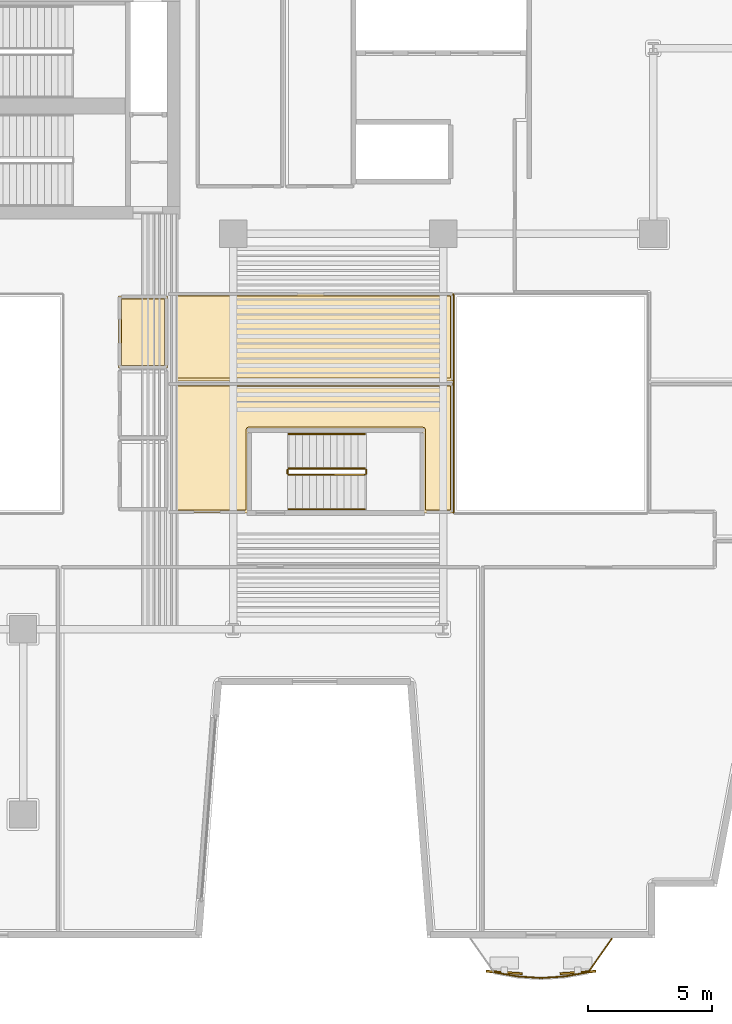
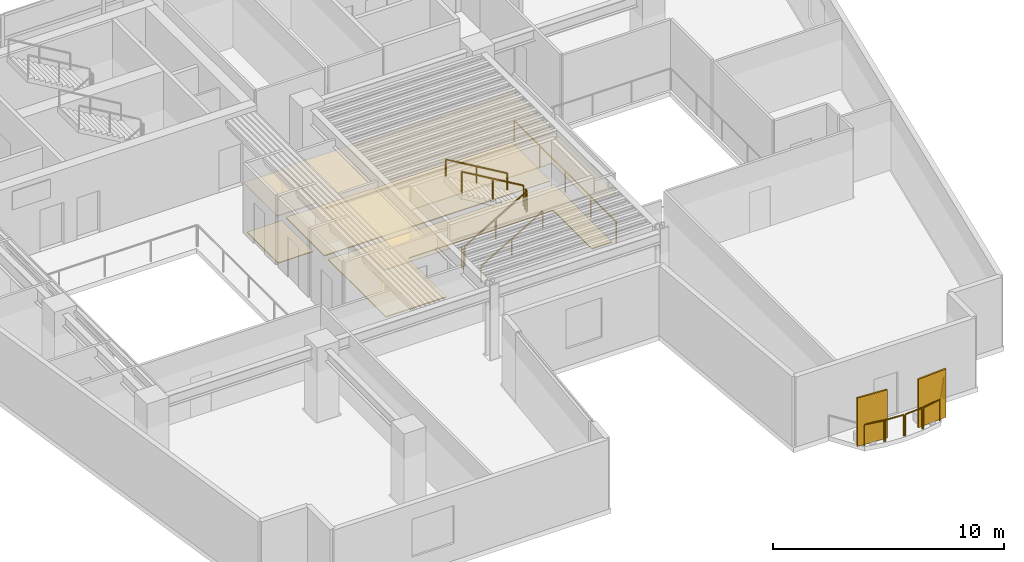
# One storey, part 10 of 13: 12 railings, 6 coverings, 2 shading devices.
"""IFC4 building model written with IfcOpenShell, lengths in metres."""

from ifc_helpers import new_model, si_unit, direction, frame, origin, origin_2d, place, context, subcontext, project, spatial, polyline, rectangle, outline, extrude, material, layer, layer_set, type_object, element, save


model = new_model("IFC4")

# Units and contexts
model_context = context("Model", 3, precision=1e-05, world=origin(), true_north=direction((0.0, 1.0)))
body_context = subcontext(model_context, "Body", "Model", "MODEL_VIEW")
ifc_project = project(units=[si_unit("LENGTHUNIT", "METRE"), si_unit("AREAUNIT", "SQUARE_METRE"), si_unit("VOLUMEUNIT", "CUBIC_METRE"), si_unit("PLANEANGLEUNIT", "RADIAN"), si_unit("MASSUNIT", "GRAM", prefix="KILO")], contexts=[model_context])

# Site, building, storey
site_placement = place(None, origin())
site = spatial("IfcSite", under=ifc_project, at=site_placement, CompositionType="ELEMENT")
building_placement = place(site_placement, origin())
building = spatial("IfcBuilding", under=site, at=building_placement, Name="Caeloran Harvest Quay", CompositionType="ELEMENT")
storey_placement = place(building_placement, frame((0.0, 0.0, 139.050048828125)))
storey = spatial("IfcBuildingStorey", under=building, at=storey_placement, Name="L32", CompositionType="ELEMENT", Elevation=139.050048828125)

# Coverings
ifc_material_1 = material(Name="Perforated Mineral-Fibre Acoustic Ceiling Tile", Category="ceiling")
ifc_layer_1 = layer(ifc_material_1, 0.0400390625, Name="Perforated Mineral-Fibre Acoustic Ceiling Tile")
ifc_layer_set_1 = layer_set([ifc_layer_1], Name="Perforated Mineral-Fibre Acoustic Ceiling Tile")
covering_type_1 = type_object("IfcCoveringType", Name="COV-CEILING-ACOUSTIC", PredefinedType="CEILING", material=ifc_layer_set_1)
covering_1_placement = place(storey_placement, frame((0.0, 0.0, 2.599853515625)))
element("IfcCovering", 1, at=covering_1_placement, inside=storey, type_object=covering_type_1, Name="L32 Male Washroom WC Acoustic Ceiling", PredefinedType="CEILING", context=body_context, shape_type="SweptSolid", body=[
    extrude(outline(polyline([(22.840087890625, 25.56005859375), (20.8701171875, 25.56005859375), (20.8701171875, 28.489990234375), (22.840087890625, 28.489990234375), (22.840087890625, 25.56005859375)])), origin(), (0.0, 0.0, 1.0), 0.0400390625),
])
covering_2_placement = place(storey_placement, frame((0.0, 0.0, 2.599853515625)))
element("IfcCovering", 2, at=covering_2_placement, inside=storey, type_object=covering_type_1, Name="Sensory Tasting Kitchen Acoustic Ceiling", PredefinedType="CEILING", context=body_context, shape_type="SweptSolid", body=[
    extrude(outline(polyline([(26.139892578125, 23.06005859375), (26.139892578125, 19.7099609375), (22.8701171875, 19.7099609375), (22.8701171875, 24.9599609375), (34.409912109375, 24.9599609375), (34.409912109375, 19.7099609375), (33.159912109375, 19.7099609375), (33.159912109375, 23.06005859375), (26.139892578125, 23.06005859375)])), origin(), (0.0, 0.0, 1.0), 0.0400390625),
])
covering_3_placement = place(storey_placement, frame((0.0, 0.0, 2.599853515625)))
element("IfcCovering", 3, at=covering_3_placement, inside=storey, type_object=covering_type_1, Name="Staff Wellness Lounge Acoustic Ceiling", PredefinedType="CEILING", context=body_context, shape_type="SweptSolid", body=[
    extrude(outline(polyline([(22.8701171875, 28.512939453125), (22.85009765625, 28.52001953125), (22.85009765625, 28.610107421875), (34.409912109375, 28.610107421875), (34.409912109375, 25.0400390625), (22.8701171875, 25.0400390625), (22.8701171875, 28.512939453125)])), origin(), (0.0, 0.0, 1.0), 0.0400390625),
])
ifc_material_2 = material(Name="Calcium-Sulphate Raised Access Floor and Terrazzo Finish", Category="flooring")
ifc_layer_2 = layer(ifc_material_2, 0.050048828125, Name="Calcium-Sulphate Raised Access Floor and Terrazzo Finish")
ifc_layer_set_2 = layer_set([ifc_layer_2], Name="Calcium-Sulphate Raised Access Floor and Terrazzo Finish")
covering_type_2 = type_object("IfcCoveringType", Name="COV-FLOOR-RAISED", PredefinedType="FLOORING", material=ifc_layer_set_2)
covering_4_placement = place(storey_placement, origin())
element("IfcCovering", 4, at=covering_4_placement, inside=storey, type_object=covering_type_2, Name="L32 Male Washroom WC Raised Finish Flooring", PredefinedType="FLOORING", context=body_context, shape_type="SweptSolid", body=[
    extrude(outline(polyline([(22.719970703125, 25.679931640625), (20.989990234375, 25.679931640625), (20.989990234375, 28.3701171875), (22.719970703125, 28.3701171875), (22.719970703125, 25.679931640625)])), origin(), (0.0, 0.0, 1.0), 0.050048828125),
])
covering_5_placement = place(storey_placement, origin())
element("IfcCovering", 5, at=covering_5_placement, inside=storey, type_object=covering_type_2, Name="Sensory Tasting Kitchen Raised Finish Flooring", PredefinedType="FLOORING", context=body_context, shape_type="SweptSolid", body=[
    extrude(outline(polyline([(33.27978515625, 23.076904296875), (33.244873046875, 23.150390625), (33.169921875, 23.179931640625), (26.09423828125, 23.174072265625), (26.040771484375, 23.13427734375), (26.02001953125, 23.070068359375), (26.02001953125, 19.830078125), (22.989990234375, 19.830078125), (22.989990234375, 24.840087890625), (34.2900390625, 24.840087890625), (34.2900390625, 19.830078125), (33.280029296875, 19.830078125), (33.27978515625, 23.076904296875)])), origin(), (0.0, 0.0, 1.0), 0.050048828125),
])
covering_6_placement = place(storey_placement, origin())
element("IfcCovering", 6, at=covering_6_placement, inside=storey, type_object=covering_type_2, Name="Staff Wellness Lounge Raised Finish Flooring", PredefinedType="FLOORING", context=body_context, shape_type="SweptSolid", body=[
    extrude(outline(polyline([(22.989990234375, 28.489990234375), (34.2900390625, 28.489990234375), (34.2900390625, 25.159912109375), (22.989990234375, 25.159912109375), (22.989990234375, 28.489990234375)])), origin(), (0.0, 0.0, 1.0), 0.050048828125),
])

# Railings
ifc_material_3 = material(Name="Powder-Coated Steel Post and Laminated Glass Guardrail", Category="steel")
ifc_layer_3 = layer(ifc_material_3, 0.06005859375, Name="Powder-Coated Steel Post and Laminated Glass Guardrail")
ifc_layer_set_3 = layer_set([ifc_layer_3], Name="Powder-Coated Steel Post and Laminated Glass Guardrail")
railing_type_1 = type_object("IfcRailingType", Name="GUARD-ATRIUM-1150", PredefinedType="GUARDRAIL", material=ifc_layer_set_3)
railing_1_placement = place(storey_placement, frame((34.429931640625, 28.5380859375, 0.0)))
element("IfcRailing", 7, at=railing_1_placement, inside=storey, type_object=railing_type_1, Name="L32 East Botanical Lightwell Guardrail Seg 4", PredefinedType="GUARDRAIL", context=body_context, shape_type="SweptSolid", body=[
    extrude(rectangle(XDim=0.048095703125, YDim=0.048095703125, at=origin_2d()), frame((0.0, 0.0, 1.1259765625), z_axis=(0.0, -1.0, 0.0), x_axis=(1.0, 0.0, 0.0)), (0.0, 0.0, 1.0), 8.826171875),
    extrude(rectangle(XDim=0.0419921875, YDim=0.0419921875, at=origin_2d()), origin(), (0.0, 0.0, 1.0), 1.101806640625),
    extrude(rectangle(XDim=0.0419921875, YDim=0.0419921875, at=origin_2d()), frame((0.0, -2.20654296875, 0.0)), (0.0, 0.0, 1.0), 1.101806640625),
    extrude(rectangle(XDim=0.0419921875, YDim=0.0419921875, at=origin_2d()), frame((0.0, -4.4130859375, 0.0)), (0.0, 0.0, 1.0), 1.101806640625),
    extrude(rectangle(XDim=0.0419921875, YDim=0.0419921875, at=origin_2d()), frame((0.0, -6.61962890625, 0.0)), (0.0, 0.0, 1.0), 1.101806640625),
    extrude(rectangle(XDim=0.0419921875, YDim=0.0419921875, at=origin_2d()), frame((0.0, -8.826171875, 0.0)), (0.0, 0.0, 1.0), 1.101806640625),
])
ifc_material_4 = material(Name="Laminated Safety Glass and Stainless Steel 316", Category="steel")
ifc_layer_4 = layer(ifc_material_4, 0.06005859375, Name="Laminated Safety Glass and Stainless Steel 316")
ifc_layer_set_4 = layer_set([ifc_layer_4], Name="Laminated Safety Glass and Stainless Steel 316")
railing_type_2 = type_object("IfcRailingType", Name="GUARD-BALUSTRADE-1150", PredefinedType="BALUSTRADE", material=ifc_layer_set_4)
railing_2_placement = place(storey_placement, frame((40.825927734375, 2.47998046875, 0.0)))
element("IfcRailing", 8, at=railing_2_placement, inside=storey, type_object=railing_type_2, Name="L32 Planted Balcony Perimeter Balustrade Guard Seg 1", PredefinedType="BALUSTRADE", context=body_context, shape_type="SweptSolid", body=[
    extrude(rectangle(XDim=0.048095703125, YDim=0.048095703125, at=origin_2d()), frame((0.0, 0.0, 1.1259765625), z_axis=(-0.576147163923, -0.817345976624, 0.0), x_axis=(0.817345976624, -0.576147163923, 0.0)), (0.0, 0.0, 1.0), 1.627685546875),
    extrude(rectangle(XDim=0.0419921875, YDim=0.0419921875, at=origin_2d()), origin(), (0.0, 0.0, 1.0), 1.101806640625),
    extrude(rectangle(XDim=0.0419921875, YDim=0.0419921875, at=origin_2d()), frame((-0.937744140625, -1.330322265625, 0.0)), (0.0, 0.0, 1.0), 1.101806640625),
])
railing_3_placement = place(storey_placement, frame((39.83837890625, 1.11767578125, 0.0)))
element("IfcRailing", 9, at=railing_3_placement, inside=storey, type_object=railing_type_2, Name="L32 Planted Balcony Perimeter Balustrade Guard Seg 2", PredefinedType="BALUSTRADE", context=body_context, shape_type="SweptSolid", body=[
    extrude(rectangle(XDim=0.048095703125, YDim=0.048095703125, at=origin_2d()), frame((0.0, 0.0, 1.1259765625), z_axis=(-0.983968748119, -0.17834097321, 0.0), x_axis=(0.17834097321, -0.983968748119, 0.0)), (0.0, 0.0, 1.0), 0.90771484375),
    extrude(rectangle(XDim=0.0419921875, YDim=0.0419921875, at=origin_2d()), origin(), (0.0, 0.0, 1.0), 1.101806640625),
    extrude(rectangle(XDim=0.0419921875, YDim=0.0419921875, at=origin_2d()), frame((-0.89306640625, -0.161865234375, 0.0)), (0.0, 0.0, 1.0), 1.101806640625),
])
railing_4_placement = place(storey_placement, frame((38.8818359375, 0.947998046875, 0.0)))
element("IfcRailing", 10, at=railing_4_placement, inside=storey, type_object=railing_type_2, Name="L32 Planted Balcony Perimeter Balustrade Guard Seg 3", PredefinedType="BALUSTRADE", context=body_context, shape_type="SweptSolid", body=[
    extrude(rectangle(XDim=0.048095703125, YDim=0.048095703125, at=origin_2d()), frame((0.0, 0.0, 1.1259765625), z_axis=(-0.997815254153, -0.066066016828, 0.0), x_axis=(0.066066016828, -0.997815254153, 0.0)), (0.0, 0.0, 1.0), 0.894287109375),
    extrude(rectangle(XDim=0.0419921875, YDim=0.0419921875, at=origin_2d()), origin(), (0.0, 0.0, 1.0), 1.101806640625),
    extrude(rectangle(XDim=0.0419921875, YDim=0.0419921875, at=origin_2d()), frame((-0.892333984375, -0.05908203125, 0.0)), (0.0, 0.0, 1.0), 1.101806640625),
])
railing_5_placement = place(storey_placement, frame((37.925537109375, 0.888916015625, 0.0)))
element("IfcRailing", 11, at=railing_5_placement, inside=storey, type_object=railing_type_2, Name="L32 Planted Balcony Perimeter Balustrade Guard Seg 4", PredefinedType="BALUSTRADE", context=body_context, shape_type="SweptSolid", body=[
    extrude(rectangle(XDim=0.048095703125, YDim=0.048095703125, at=origin_2d()), frame((0.0, 0.0, 1.1259765625), z_axis=(-0.997815254153, 0.066066016828, 0.0), x_axis=(-0.066066016828, -0.997815254153, 0.0)), (0.0, 0.0, 1.0), 0.894287109375),
    extrude(rectangle(XDim=0.0419921875, YDim=0.0419921875, at=origin_2d()), origin(), (0.0, 0.0, 1.0), 1.101806640625),
    extrude(rectangle(XDim=0.0419921875, YDim=0.0419921875, at=origin_2d()), frame((-0.892333984375, 0.05908203125, 0.0)), (0.0, 0.0, 1.0), 1.101806640625),
])
railing_6_placement = place(storey_placement, frame((36.9697265625, 0.955810546875, 0.0)))
element("IfcRailing", 12, at=railing_6_placement, inside=storey, type_object=railing_type_2, Name="L32 Planted Balcony Perimeter Balustrade Guard Seg 5", PredefinedType="BALUSTRADE", context=body_context, shape_type="SweptSolid", body=[
    extrude(rectangle(XDim=0.048095703125, YDim=0.048095703125, at=origin_2d()), frame((0.0, 0.0, 1.1259765625), z_axis=(-0.983968748119, 0.17834097321, 0.0), x_axis=(-0.17834097321, -0.983968748119, 0.0)), (0.0, 0.0, 1.0), 0.90771484375),
    extrude(rectangle(XDim=0.0419921875, YDim=0.0419921875, at=origin_2d()), origin(), (0.0, 0.0, 1.0), 1.101806640625),
    extrude(rectangle(XDim=0.0419921875, YDim=0.0419921875, at=origin_2d()), frame((-0.89306640625, 0.161865234375, 0.0)), (0.0, 0.0, 1.0), 1.101806640625),
])

# Shading devices
ifc_material_5 = material(Name="3003-H14 Perforated Powder-Coated Aluminium", Category="aluminium")
shading_device_type = type_object("IfcShadingDeviceType", Name="SHADE-SCREEN-FOLDED", PredefinedType="USERDEFINED", material=ifc_material_5)
for number, where, z_axis, x_axis, name in (
    (13, (39.44921875, 1.111328125, 0.07470703125), (0.0, 0.0, 1.0), (0.997801468292, 0.0662739004, 0.0), "L32 Folded Facade Breathing Screen 1"),
    (14, (36.4658203125, 1.111328125, 0.07470703125), (0.0, 0.0, 1.0), (0.997801468292, -0.0662739004, 0.0), "L32 Folded Facade Breathing Screen 2"),
):
    element("IfcShadingDevice", number, at=place(storey_placement, frame(where, z_axis=z_axis, x_axis=x_axis)), inside=storey, type_object=shading_device_type, Name=name, ObjectType="SCREEN", PredefinedType="USERDEFINED", context=body_context, shape_type="SweptSolid", body=[
        extrude(rectangle(XDim=1.449951171875, YDim=0.080078125, at=origin_2d()), origin(), (0.0, 0.0, 1.0), 2.550048828125),
    ])

# Railings
ifc_material_6 = material(Name="Painted Steel Baluster and Top-Rail Stair Guard", Category="steel")
ifc_layer_5 = layer(ifc_material_6, 0.050048828125, Name="Painted Steel Baluster and Top-Rail Stair Guard")
ifc_layer_set_5 = layer_set([ifc_layer_5], Name="Painted Steel Baluster and Top-Rail Stair Guard")
railing_type_3 = type_object("IfcRailingType", Name="STAIR-GUARD-1100", PredefinedType="GUARDRAIL", material=ifc_layer_set_5)
railing_7_placement = place(storey_placement, frame((27.75, 21.25, 0.16455078125)))
element("IfcRailing", 15, at=railing_7_placement, inside=storey, type_object=railing_type_3, Name="L32 ST-W1 stair guard 1", PredefinedType="GUARDRAIL", context=body_context, shape_type="SweptSolid", body=[
    extrude(rectangle(XDim=0.048095703125, YDim=0.048095703125, at=origin_2d()), frame((0.0, 0.0, 1.076171875), z_axis=(0.862118610829, 0.0, 0.506706523406), x_axis=(0.0, 1.0, 0.0)), (0.0, 0.0, 1.0), 3.57275390625),
    extrude(rectangle(XDim=0.0419921875, YDim=0.0419921875, at=origin_2d()), origin(), (0.0, 0.0, 1.0), 1.052001953125),
    extrude(rectangle(XDim=0.0419921875, YDim=0.0419921875, at=origin_2d()), frame((1.5400390625, 0.0, 0.9052734375)), (0.0, 0.0, 1.0), 1.052001953125),
    extrude(rectangle(XDim=0.0419921875, YDim=0.0419921875, at=origin_2d()), frame((3.080078125, 0.0, 1.810302734375)), (0.0, 0.0, 1.0), 1.052001953125),
])
railing_8_placement = place(storey_placement, frame((30.8798828125, 21.300048828125, 1.974853515625)))
element("IfcRailing", 16, at=railing_8_placement, inside=storey, type_object=railing_type_3, Name="L32 ST-W1 stair guard 2", PredefinedType="GUARDRAIL", context=body_context, shape_type="SweptSolid", body=[
    extrude(rectangle(XDim=0.048095703125, YDim=0.048095703125, at=origin_2d()), frame((0.0, 0.0, 1.076171875), z_axis=(0.0, 1.0, 0.0), x_axis=(-1.0, 0.0, 0.0)), (0.0, 0.0, 1.0), 0.14990234375),
    extrude(rectangle(XDim=0.0419921875, YDim=0.0419921875, at=origin_2d()), origin(), (0.0, 0.0, 1.0), 1.052001953125),
    extrude(rectangle(XDim=0.0419921875, YDim=0.0419921875, at=origin_2d()), frame((0.0, 0.14990234375, 0.0)), (0.0, 0.0, 1.0), 1.052001953125),
])
railing_9_placement = place(storey_placement, frame((30.830078125, 21.5, 2.1396484375)))
element("IfcRailing", 17, at=railing_9_placement, inside=storey, type_object=railing_type_3, Name="L32 ST-W1 stair guard 3", PredefinedType="GUARDRAIL", context=body_context, shape_type="SweptSolid", body=[
    extrude(rectangle(XDim=0.048095703125, YDim=0.048095703125, at=origin_2d()), frame((0.0, 0.0, 1.076171875), z_axis=(-0.862118610829, 0.0, 0.506706523406), x_axis=(0.0, -1.0, 0.0)), (0.0, 0.0, 1.0), 3.57275390625),
    extrude(rectangle(XDim=0.0419921875, YDim=0.0419921875, at=origin_2d()), origin(), (0.0, 0.0, 1.0), 1.052001953125),
    extrude(rectangle(XDim=0.0419921875, YDim=0.0419921875, at=origin_2d()), frame((-1.5400390625, 0.0, 0.9052734375)), (0.0, 0.0, 1.0), 1.052001953125),
    extrude(rectangle(XDim=0.0419921875, YDim=0.0419921875, at=origin_2d()), frame((-3.080078125, 0.0, 1.810302734375)), (0.0, 0.0, 1.0), 1.052001953125),
])
railing_10_placement = place(storey_placement, frame((27.699951171875, 21.300048828125, 0.0)))
element("IfcRailing", 18, at=railing_10_placement, inside=storey, type_object=railing_type_3, Name="L32 ST-W1 stair guard 4", PredefinedType="GUARDRAIL", context=body_context, shape_type="SweptSolid", body=[
    extrude(rectangle(XDim=0.048095703125, YDim=0.048095703125, at=origin_2d()), frame((0.0, 0.0, 1.076171875), z_axis=(0.0, 1.0, 0.0), x_axis=(-1.0, 0.0, 0.0)), (0.0, 0.0, 1.0), 0.14990234375),
    extrude(rectangle(XDim=0.0419921875, YDim=0.0419921875, at=origin_2d()), origin(), (0.0, 0.0, 1.0), 1.052001953125),
    extrude(rectangle(XDim=0.0419921875, YDim=0.0419921875, at=origin_2d()), frame((0.0, 0.14990234375, 0.0)), (0.0, 0.0, 1.0), 1.052001953125),
])
ifc_material_7 = material(Name="Brushed Stainless Steel Grade 304", Category="steel")
ifc_layer_6 = layer(ifc_material_7, 0.050048828125, Name="Brushed Stainless Steel Grade 304")
ifc_layer_set_6 = layer_set([ifc_layer_6], Name="Brushed Stainless Steel Grade 304")
railing_type_4 = type_object("IfcRailingType", Name="STAIR-HANDRAIL-900", PredefinedType="HANDRAIL", material=ifc_layer_set_6)
railing_11_placement = place(storey_placement, frame((27.75, 19.85009765625, 0.16455078125)))
element("IfcRailing", 19, at=railing_11_placement, inside=storey, type_object=railing_type_4, Name="L32 ST-W1 stair handrail 1", PredefinedType="HANDRAIL", context=body_context, shape_type="SweptSolid", body=[
    extrude(rectangle(XDim=0.048095703125, YDim=0.048095703125, at=origin_2d()), frame((0.0, 0.0, 0.8759765625), z_axis=(0.862118610829, 0.0, 0.506706523406), x_axis=(0.0, 1.0, 0.0)), (0.0, 0.0, 1.0), 3.57275390625),
    extrude(rectangle(XDim=0.0419921875, YDim=0.0419921875, at=origin_2d()), origin(), (0.0, 0.0, 1.0), 0.851806640625),
    extrude(rectangle(XDim=0.0419921875, YDim=0.0419921875, at=origin_2d()), frame((1.5400390625, 0.0, 0.9052734375)), (0.0, 0.0, 1.0), 0.851806640625),
    extrude(rectangle(XDim=0.0419921875, YDim=0.0419921875, at=origin_2d()), frame((3.080078125, 0.0, 1.810302734375)), (0.0, 0.0, 1.0), 0.851806640625),
])
railing_12_placement = place(storey_placement, frame((30.830078125, 22.89990234375, 2.1396484375)))
element("IfcRailing", 20, at=railing_12_placement, inside=storey, type_object=railing_type_4, Name="L32 ST-W1 stair handrail 2", PredefinedType="HANDRAIL", context=body_context, shape_type="SweptSolid", body=[
    extrude(rectangle(XDim=0.048095703125, YDim=0.048095703125, at=origin_2d()), frame((0.0, 0.0, 0.8759765625), z_axis=(-0.862118610829, 0.0, 0.506706523406), x_axis=(0.0, -1.0, 0.0)), (0.0, 0.0, 1.0), 3.57275390625),
    extrude(rectangle(XDim=0.0419921875, YDim=0.0419921875, at=origin_2d()), origin(), (0.0, 0.0, 1.0), 0.851806640625),
    extrude(rectangle(XDim=0.0419921875, YDim=0.0419921875, at=origin_2d()), frame((-1.5400390625, 0.0, 0.9052734375)), (0.0, 0.0, 1.0), 0.851806640625),
    extrude(rectangle(XDim=0.0419921875, YDim=0.0419921875, at=origin_2d()), frame((-3.080078125, 0.0, 1.810302734375)), (0.0, 0.0, 1.0), 0.851806640625),
])

save(model, "model.ifc")
